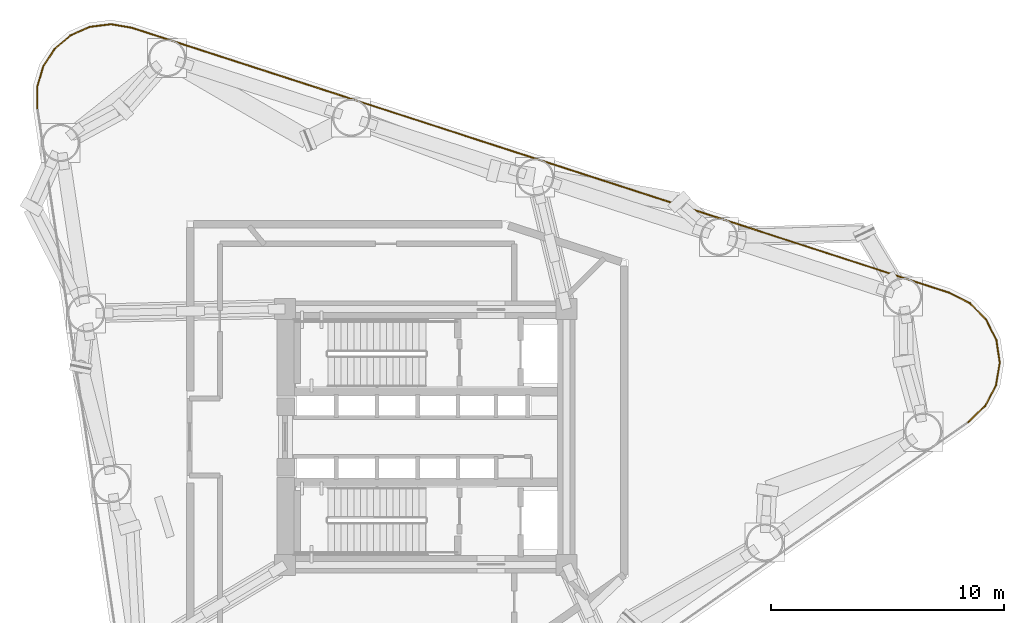
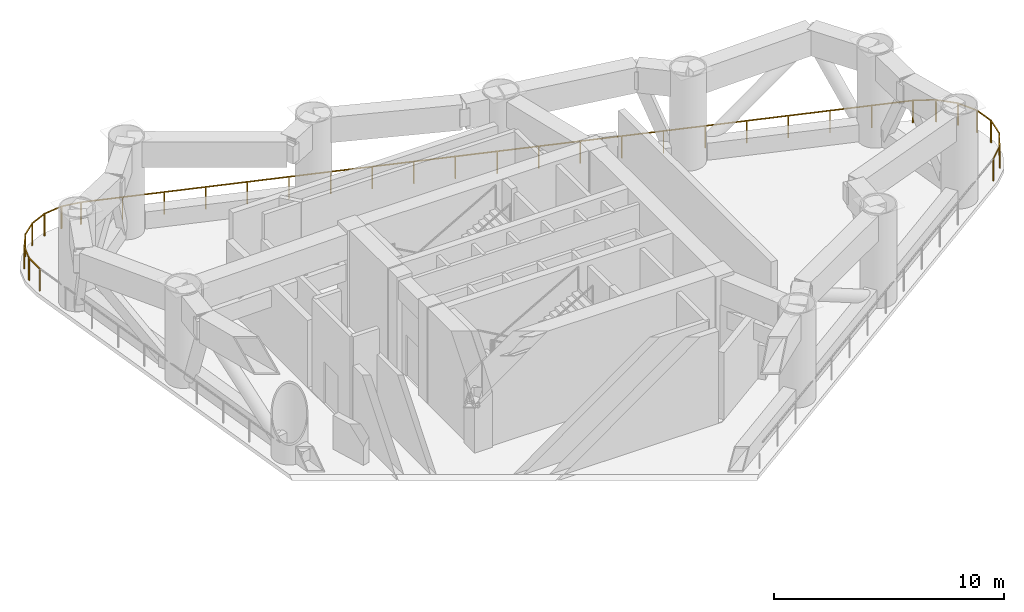
# One storey, part 8 of 8: 15 railings.
"""IFC4 building model written with IfcOpenShell, lengths in metres."""

import ifcopenshell
import ifcopenshell.guid

model = None  # the IFC model being written
_history = None  # IfcOwnerHistory: only IFC2X3 demands one
_inside = {}  # id of a spatial element -> (the spatial element, [elements in it])
_under = {}  # id of a project, library or spatial element -> (it, [spatial elements below it])
_declared = {}  # id of a project -> (the project, [libraries it declares])
_typed = {}  # id of a type object -> (the type object, [elements of that type])
_made_of = {}  # id of a material, layer set ... -> (it, [elements and type objects made of it])


def new_model(schema):
    """Start an empty IFC model of exactly this schema.

    Asked for "IFC4X3", IfcOpenShell would pick the latest addendum, in which some entities
    have other attributes; the version numbers below select the first issue.
    IFC2X3 requires an IfcOwnerHistory on every rooted entity: one is made here for all.
    """
    global model, _history
    if schema == "IFC4X3":
        model = ifcopenshell.file(schema_version=(4, 3, 0, 0))
    else:
        model = ifcopenshell.file(schema=schema)
    _inside.clear()
    _under.clear()
    _declared.clear()
    _typed.clear()
    _made_of.clear()
    _history = None
    if model.schema == "IFC2X3":
        org = make("IfcOrganization", Name="unknown")
        user = make(
            "IfcPersonAndOrganization",
            ThePerson=make("IfcPerson", FamilyName="unknown"),
            TheOrganization=org,
        )
        app = make(
            "IfcApplication",
            ApplicationDeveloper=org,
            Version="unknown",
            ApplicationFullName="unknown",
            ApplicationIdentifier="unknown",
        )
        _history = make(
            "IfcOwnerHistory",
            OwningUser=user,
            OwningApplication=app,
            ChangeAction="ADDED",
            CreationDate=0,
        )
    return model


def make(cls, **values):
    """One entity of the class cls with the attributes given. An attribute that is None is left unset."""
    return model.create_entity(
        cls, **{name: value for name, value in values.items() if value is not None}
    )


def rooted(cls, **values):
    """An entity with a GlobalId (a new one), such as an element, a storey or a relation."""
    return make(cls, GlobalId=ifcopenshell.guid.new(), OwnerHistory=_history, **values)


def si_unit(unit_type, name, prefix=None):
    """IfcSIUnit, for example si_unit("LENGTHUNIT", "METRE", prefix="MILLI")."""
    return make("IfcSIUnit", UnitType=unit_type, Prefix=prefix, Name=name)


def assignment(units):
    """IfcUnitAssignment: the units of a project."""
    return None if units is None else make("IfcUnitAssignment", Units=units)


def point(xyz):
    """IfcCartesianPoint."""
    return None if xyz is None else make("IfcCartesianPoint", Coordinates=xyz)


def direction(xyz):
    """IfcDirection."""
    return None if xyz is None else make("IfcDirection", DirectionRatios=xyz)


def frame(location, z_axis=None, x_axis=None):
    """IfcAxis2Placement3D, a coordinate frame: its origin and axes. An axis left out is left unset."""
    return make(
        "IfcAxis2Placement3D",
        Location=point(location),
        Axis=direction(z_axis),
        RefDirection=direction(x_axis),
    )


def frame_2d(location, x_axis=None):
    """IfcAxis2Placement2D, a coordinate frame in the plane: its origin and x axis."""
    return make(
        "IfcAxis2Placement2D", Location=point(location), RefDirection=direction(x_axis)
    )


def origin():
    """The frame at (0, 0, 0) with its axes left unset."""
    return frame((0.0, 0.0, 0.0))


def origin_2d():
    """The frame at (0, 0) in the plane with its x axis left unset."""
    return frame_2d((0.0, 0.0))


def place(relative_to, where):
    """IfcLocalPlacement: puts the frame where relative to a parent placement (None: the world)."""
    return make(
        "IfcLocalPlacement", PlacementRelTo=relative_to, RelativePlacement=where
    )


def context(
    kind, dimensions, precision=None, world=None, true_north=None, identifier=None
):
    """IfcGeometricRepresentationContext, for example the 3D "Model" context."""
    return make(
        "IfcGeometricRepresentationContext",
        ContextIdentifier=identifier,
        ContextType=kind,
        CoordinateSpaceDimension=dimensions,
        Precision=precision,
        WorldCoordinateSystem=world,
        TrueNorth=true_north,
    )


def subcontext(parent, identifier, kind, view, scale=None):
    """IfcGeometricRepresentationSubContext, for example "Body" below "Model"."""
    return make(
        "IfcGeometricRepresentationSubContext",
        ContextIdentifier=identifier,
        ContextType=kind,
        ParentContext=parent,
        TargetScale=scale,
        TargetView=view,
    )


def project(units=None, contexts=None):
    """IfcProject with its units and contexts."""
    return rooted(
        "IfcProject",
        Name="project",
        RepresentationContexts=contexts,
        UnitsInContext=assignment(units),
    )


def spatial(cls, under=None, at=None, **own):
    """A site, building, storey or space (cls), placed at a placement, below another one or the project."""
    s = rooted(cls, ObjectPlacement=at, **own)
    if under is not None:
        _under.setdefault(under.id(), (under, []))[1].append(s)
    return s


def profile(cls, at=None, kind="AREA", **sizes):
    """A parametric profile (cls). Its sizes go by their IFC names, for example OverallWidth=200.0."""
    return make(cls, ProfileType=kind, Position=at, **sizes)


def rectangle(**sizes):
    """IfcRectangleProfileDef."""
    return profile("IfcRectangleProfileDef", **sizes)


def extrude(swept, where, along, depth):
    """IfcExtrudedAreaSolid: the profile swept, set in the frame where, extruded along a direction by depth."""
    return make(
        "IfcExtrudedAreaSolid",
        SweptArea=swept,
        Position=where,
        ExtrudedDirection=direction(along),
        Depth=depth,
    )


def shape(context_of_items, identifier, shape_type, items):
    """IfcShapeRepresentation: the items that make up one representation, for example the "Body"."""
    return make(
        "IfcShapeRepresentation",
        ContextOfItems=context_of_items,
        RepresentationIdentifier=identifier,
        RepresentationType=shape_type,
        Items=items,
    )


def material(Name=None, Category=None):
    """IfcMaterial."""
    return make("IfcMaterial", Name=Name, Category=Category)


def made_of(thing, what):
    """Note that an element or type object is made of a material, layer set ...; save() writes the relation."""
    if what is not None:
        _made_of.setdefault(what.id(), (what, []))[1].append(thing)
    return thing


def type_object(cls, material=None, **own):
    """A type object (cls), such as IfcWallType, which elements share."""
    return made_of(rooted(cls, **own), material)


def element(
    cls,
    number,
    at=None,
    inside=None,
    cuts=None,
    type_object=None,
    material=None,
    context=None,
    identifier="Body",
    shape_type=None,
    held_by="IfcProductDefinitionShape",
    body=None,
    shapes=None,
    **own,
):
    """One element of the class cls, such as IfcWall. Its Tag is "e" and its number.

    at: its placement. inside: the storey or other place that contains it. cuts: it is an
    opening in that element (IfcRelVoidsElement). A single representation is given by context,
    identifier, shape_type and body (its items); several are given by shapes. held_by: the class
    of the entity that holds the representations. save() writes the other relations.
    """
    e = rooted(cls, Tag="e%d" % number, ObjectPlacement=at, **own)
    if body is not None:
        shapes = [shape(context, identifier, shape_type, body)]
    if shapes is not None:
        e.Representation = make(held_by, Representations=shapes)
    if inside is not None:
        _inside.setdefault(inside.id(), (inside, []))[1].append(e)
    if cuts is not None:
        rooted(
            "IfcRelVoidsElement", RelatingBuildingElement=cuts, RelatedOpeningElement=e
        )
    if type_object is not None:
        _typed.setdefault(type_object.id(), (type_object, []))[1].append(e)
    return made_of(e, material)


def aggregate(whole, parts):
    """IfcRelAggregates: a whole, such as a stair, and the parts it consists of."""
    return rooted("IfcRelAggregates", RelatingObject=whole, RelatedObjects=parts)


def save(model, path):
    """Write the relations noted so far, then the file.

    IfcRelAggregates (storeys below a building ...), IfcRelContainedInSpatialStructure (elements
    in a storey), IfcRelDefinesByType, IfcRelAssociatesMaterial and IfcRelDeclares: one each for
    every whole, place, type object, material and project.
    """
    for whole, parts in _under.values():
        aggregate(whole, parts)
    for where, things in _inside.values():
        rooted(
            "IfcRelContainedInSpatialStructure",
            RelatedElements=things,
            RelatingStructure=where,
        )
    for kind, things in _typed.values():
        rooted("IfcRelDefinesByType", RelatedObjects=things, RelatingType=kind)
    for what, things in _made_of.values():
        rooted("IfcRelAssociatesMaterial", RelatedObjects=things, RelatingMaterial=what)
    for by, libraries in _declared.values():
        rooted("IfcRelDeclares", RelatingContext=by, RelatedDefinitions=libraries)
    model.write(path)


model = new_model("IFC4")

# Units and contexts
model_context = context("Model", 3, precision=1e-05, world=origin(), true_north=direction((0.0, 1.0)))
body_context = subcontext(model_context, "Body", "Model", "MODEL_VIEW")
ifc_project = project(units=[si_unit("LENGTHUNIT", "METRE"), si_unit("AREAUNIT", "SQUARE_METRE"), si_unit("VOLUMEUNIT", "CUBIC_METRE"), si_unit("PLANEANGLEUNIT", "RADIAN"), si_unit("MASSUNIT", "GRAM", prefix="KILO")], contexts=[model_context])

# Site, building, storey
site_placement = place(None, origin())
site = spatial("IfcSite", under=ifc_project, at=site_placement, CompositionType="ELEMENT")
building_placement = place(site_placement, origin())
building = spatial("IfcBuilding", under=site, at=building_placement, Name="Yunling Apex Tower", CompositionType="ELEMENT")
storey_placement = place(building_placement, frame((0.0, 0.0, 84.800048828125)))
storey = spatial("IfcBuildingStorey", under=building, at=storey_placement, Name="RF2", CompositionType="ELEMENT", Elevation=84.800048828125)

# Railings
ifc_material = material(Name="Bronze anodised aluminium", Category="aluminium")
railing_type = type_object("IfcRailingType", Name="RL-BAL-1200", PredefinedType="BALUSTRADE", material=ifc_material)
railing_1_placement = place(storey_placement, frame((-16.69189453125, 14.115234375, 0.0)))
element("IfcRailing", 1, at=railing_1_placement, inside=storey, type_object=railing_type, Name="RL-REF-RF2-02", PredefinedType="BALUSTRADE", context=body_context, shape_type="SweptSolid", body=[
    extrude(rectangle(XDim=0.0439453125, YDim=0.0439453125, at=origin_2d()), origin(), (0.0, 0.0, 1.0), 1.199951171875),
    extrude(rectangle(XDim=0.0439453125, YDim=0.0439453125, at=origin_2d()), frame((-0.0029296875, 0.9482421875, 0.0)), (0.0, 0.0, 1.0), 1.199951171875),
    extrude(rectangle(XDim=0.050048828125, YDim=0.050048828125, at=origin_2d()), frame((0.0, 0.038330078125, 1.1748046875), z_axis=(-0.003089583606, 0.999995227225, 0.0), x_axis=(-0.999995227225, -0.003089583606, 0.0)), (0.0, 0.0, 1.0), 0.87158203125),
])
railing_2_placement = place(storey_placement, frame((-16.69921875, 15.0341796875, 0.0)))
element("IfcRailing", 2, at=railing_2_placement, inside=storey, type_object=railing_type, Name="RL-REF-RF2-03", PredefinedType="BALUSTRADE", context=body_context, shape_type="SweptSolid", body=[
    extrude(rectangle(XDim=0.0439453125, YDim=0.0439453125, at=origin_2d()), origin(), (0.0, 0.0, 1.0), 1.199951171875),
    extrude(rectangle(XDim=0.0439453125, YDim=0.0439453125, at=origin_2d()), frame((0.26513671875, 0.896728515625, 0.0)), (0.0, 0.0, 1.0), 1.199951171875),
    extrude(rectangle(XDim=0.050048828125, YDim=0.050048828125, at=origin_2d()), frame((0.010986328125, 0.036865234375, 1.1748046875), z_axis=(0.283537142164, 0.95896125522, 0.0), x_axis=(-0.95896125522, 0.283537142164, 0.0)), (0.0, 0.0, 1.0), 0.8583984375),
])
railing_3_placement = place(storey_placement, frame((-16.446533203125, 15.904052734375, 0.0)))
element("IfcRailing", 3, at=railing_3_placement, inside=storey, type_object=railing_type, Name="RL-REF-RF2-04", PredefinedType="BALUSTRADE", context=body_context, shape_type="SweptSolid", body=[
    extrude(rectangle(XDim=0.0439453125, YDim=0.0439453125, at=origin_2d()), origin(), (0.0, 0.0, 1.0), 1.199951171875),
    extrude(rectangle(XDim=0.0439453125, YDim=0.0439453125, at=origin_2d()), frame((0.510498046875, 0.783447265625, 0.0)), (0.0, 0.0, 1.0), 1.199951171875),
    extrude(rectangle(XDim=0.050048828125, YDim=0.050048828125, at=origin_2d()), frame((0.02099609375, 0.0322265625, 1.1748046875), z_axis=(0.545933240713, 0.837828679794, 0.0), x_axis=(-0.837828679794, 0.545933240713, 0.0)), (0.0, 0.0, 1.0), 0.8583984375),
])
railing_4_placement = place(storey_placement, frame((-15.955810546875, 16.665283203125, 0.0)))
element("IfcRailing", 4, at=railing_4_placement, inside=storey, type_object=railing_type, Name="RL-REF-RF2-05", PredefinedType="BALUSTRADE", context=body_context, shape_type="SweptSolid", body=[
    extrude(rectangle(XDim=0.0439453125, YDim=0.0439453125, at=origin_2d()), origin(), (0.0, 0.0, 1.0), 1.199951171875),
    extrude(rectangle(XDim=0.0439453125, YDim=0.0439453125, at=origin_2d()), frame((0.713623046875, 0.604248046875, 0.0)), (0.0, 0.0, 1.0), 1.199951171875),
    extrude(rectangle(XDim=0.050048828125, YDim=0.050048828125, at=origin_2d()), frame((0.029296875, 0.024658203125, 1.1748046875), z_axis=(0.763168366185, 0.646199694255, 0.0), x_axis=(-0.646199694255, 0.763168366185, 0.0)), (0.0, 0.0, 1.0), 0.8583984375),
])
railing_5_placement = place(storey_placement, frame((-15.267333984375, 17.25390625, 0.0)))
element("IfcRailing", 5, at=railing_5_placement, inside=storey, type_object=railing_type, Name="RL-REF-RF2-06", PredefinedType="BALUSTRADE", context=body_context, shape_type="SweptSolid", body=[
    extrude(rectangle(XDim=0.0439453125, YDim=0.0439453125, at=origin_2d()), origin(), (0.0, 0.0, 1.0), 1.199951171875),
    extrude(rectangle(XDim=0.0439453125, YDim=0.0439453125, at=origin_2d()), frame((0.856689453125, 0.375, 0.0)), (0.0, 0.0, 1.0), 1.199951171875),
    extrude(rectangle(XDim=0.050048828125, YDim=0.050048828125, at=origin_2d()), frame((0.03515625, 0.015380859375, 1.1748046875), z_axis=(0.916079425879, 0.400996864677, 0.0), x_axis=(-0.400996864677, 0.916079425879, 0.0)), (0.0, 0.0, 1.0), 0.8583984375),
])
railing_6_placement = place(storey_placement, frame((-14.439208984375, 17.620849609375, 0.0)))
element("IfcRailing", 6, at=railing_6_placement, inside=storey, type_object=railing_type, Name="RL-REF-RF2-07", PredefinedType="BALUSTRADE", context=body_context, shape_type="SweptSolid", body=[
    extrude(rectangle(XDim=0.0439453125, YDim=0.0439453125, at=origin_2d()), origin(), (0.0, 0.0, 1.0), 1.199951171875),
    extrude(rectangle(XDim=0.0439453125, YDim=0.0439453125, at=origin_2d()), frame((0.92822265625, 0.114013671875, 0.0)), (0.0, 0.0, 1.0), 1.199951171875),
    extrude(rectangle(XDim=0.050048828125, YDim=0.050048828125, at=origin_2d()), frame((0.0380859375, 0.004638671875, 1.1748046875), z_axis=(0.992540684549, 0.121913861043, 0.0), x_axis=(-0.121913861043, 0.992540684549, 0.0)), (0.0, 0.0, 1.0), 0.858642578125),
])
railing_7_placement = place(storey_placement, frame((-13.540771484375, 17.7353515625, 0.0)))
element("IfcRailing", 7, at=railing_7_placement, inside=storey, type_object=railing_type, Name="RL-REF-RF2-08", PredefinedType="BALUSTRADE", context=body_context, shape_type="SweptSolid", body=[
    extrude(rectangle(XDim=0.0439453125, YDim=0.0439453125, at=origin_2d()), origin(), (0.0, 0.0, 1.0), 1.199951171875),
    extrude(rectangle(XDim=0.0439453125, YDim=0.0439453125, at=origin_2d()), frame((0.934814453125, -0.15869140625, 0.0)), (0.0, 0.0, 1.0), 1.199951171875),
    extrude(rectangle(XDim=0.050048828125, YDim=0.050048828125, at=origin_2d()), frame((0.037841796875, -0.00634765625, 1.1748046875), z_axis=(0.985895383562, -0.167362757721, 0.0), x_axis=(0.167362757721, 0.985895383562, 0.0)), (0.0, 0.0, 1.0), 0.87158203125),
])
railing_8_placement = place(storey_placement, frame((-12.635009765625, 17.583740234375, 0.0)))
element("IfcRailing", 8, at=railing_8_placement, inside=storey, type_object=railing_type, Name="RL-REF-RF2-09", PredefinedType="BALUSTRADE", context=body_context, shape_type="SweptSolid", body=[
    extrude(rectangle(XDim=0.0439453125, YDim=0.0439453125, at=origin_2d()), origin(), (0.0, 0.0, 1.0), 1.199951171875),
    extrude(rectangle(XDim=0.0439453125, YDim=0.0439453125, at=origin_2d()), frame((35.13330078125, -11.388427734375, 0.0)), (0.0, 0.0, 1.0), 1.199951171875),
    extrude(rectangle(XDim=0.050048828125, YDim=0.050048828125, at=origin_2d()), frame((0.036376953125, -0.01171875, 1.1748046875), z_axis=(0.951271722846, -0.308353870274, 0.0), x_axis=(0.308353870274, 0.951271722846, 0.0)), (0.0, 0.0, 1.0), 36.856201171875),
    extrude(rectangle(XDim=0.0439453125, YDim=0.0439453125, at=origin_2d()), frame((1.756591796875, -0.5693359375, 0.0)), (0.0, 0.0, 1.0), 1.14599609375),
    extrude(rectangle(XDim=0.0439453125, YDim=0.0439453125, at=origin_2d()), frame((3.513427734375, -1.138916015625, 0.0)), (0.0, 0.0, 1.0), 1.14599609375),
    extrude(rectangle(XDim=0.0439453125, YDim=0.0439453125, at=origin_2d()), frame((5.27001953125, -1.708251953125, 0.0)), (0.0, 0.0, 1.0), 1.14599609375),
    extrude(rectangle(XDim=0.0439453125, YDim=0.0439453125, at=origin_2d()), frame((7.026611328125, -2.277587890625, 0.0)), (0.0, 0.0, 1.0), 1.14599609375),
    extrude(rectangle(XDim=0.0439453125, YDim=0.0439453125, at=origin_2d()), frame((8.783203125, -2.84716796875, 0.0)), (0.0, 0.0, 1.0), 1.14599609375),
    extrude(rectangle(XDim=0.0439453125, YDim=0.0439453125, at=origin_2d()), frame((10.5400390625, -3.41650390625, 0.0)), (0.0, 0.0, 1.0), 1.14599609375),
    extrude(rectangle(XDim=0.0439453125, YDim=0.0439453125, at=origin_2d()), frame((12.296630859375, -3.98583984375, 0.0)), (0.0, 0.0, 1.0), 1.14599609375),
    extrude(rectangle(XDim=0.0439453125, YDim=0.0439453125, at=origin_2d()), frame((14.05322265625, -4.555419921875, 0.0)), (0.0, 0.0, 1.0), 1.14599609375),
    extrude(rectangle(XDim=0.0439453125, YDim=0.0439453125, at=origin_2d()), frame((15.81005859375, -5.124755859375, 0.0)), (0.0, 0.0, 1.0), 1.14599609375),
    extrude(rectangle(XDim=0.0439453125, YDim=0.0439453125, at=origin_2d()), frame((17.566650390625, -5.6943359375, 0.0)), (0.0, 0.0, 1.0), 1.14599609375),
    extrude(rectangle(XDim=0.0439453125, YDim=0.0439453125, at=origin_2d()), frame((19.3232421875, -6.263671875, 0.0)), (0.0, 0.0, 1.0), 1.14599609375),
    extrude(rectangle(XDim=0.0439453125, YDim=0.0439453125, at=origin_2d()), frame((21.080078125, -6.8330078125, 0.0)), (0.0, 0.0, 1.0), 1.14599609375),
    extrude(rectangle(XDim=0.0439453125, YDim=0.0439453125, at=origin_2d()), frame((22.836669921875, -7.402587890625, 0.0)), (0.0, 0.0, 1.0), 1.14599609375),
    extrude(rectangle(XDim=0.0439453125, YDim=0.0439453125, at=origin_2d()), frame((24.59326171875, -7.971923828125, 0.0)), (0.0, 0.0, 1.0), 1.14599609375),
    extrude(rectangle(XDim=0.0439453125, YDim=0.0439453125, at=origin_2d()), frame((26.35009765625, -8.541259765625, 0.0)), (0.0, 0.0, 1.0), 1.14599609375),
    extrude(rectangle(XDim=0.0439453125, YDim=0.0439453125, at=origin_2d()), frame((28.106689453125, -9.11083984375, 0.0)), (0.0, 0.0, 1.0), 1.14599609375),
    extrude(rectangle(XDim=0.0439453125, YDim=0.0439453125, at=origin_2d()), frame((29.86328125, -9.68017578125, 0.0)), (0.0, 0.0, 1.0), 1.14599609375),
    extrude(rectangle(XDim=0.0439453125, YDim=0.0439453125, at=origin_2d()), frame((31.619873046875, -10.24951171875, 0.0)), (0.0, 0.0, 1.0), 1.14599609375),
    extrude(rectangle(XDim=0.0439453125, YDim=0.0439453125, at=origin_2d()), frame((33.376708984375, -10.819091796875, 0.0)), (0.0, 0.0, 1.0), 1.14599609375),
])
railing_9_placement = place(storey_placement, frame((22.470458984375, 6.206787109375, 0.0)))
element("IfcRailing", 9, at=railing_9_placement, inside=storey, type_object=railing_type, Name="RL-REF-RF2-10", PredefinedType="BALUSTRADE", context=body_context, shape_type="SweptSolid", body=[
    extrude(rectangle(XDim=0.0439453125, YDim=0.0439453125, at=origin_2d()), origin(), (0.0, 0.0, 1.0), 1.199951171875),
    extrude(rectangle(XDim=0.0439453125, YDim=0.0439453125, at=origin_2d()), frame((0.918701171875, -0.468994140625, 0.0)), (0.0, 0.0, 1.0), 1.199951171875),
    extrude(rectangle(XDim=0.050048828125, YDim=0.050048828125, at=origin_2d()), frame((0.0341796875, -0.017333984375, 1.1748046875), z_axis=(0.890656251299, -0.454677294378, 0.0), x_axis=(0.454677294378, 0.890656251299, 0.0)), (0.0, 0.0, 1.0), 0.954833984375),
])
railing_10_placement = place(storey_placement, frame((23.365234375, 5.75537109375, 0.0)))
element("IfcRailing", 10, at=railing_10_placement, inside=storey, type_object=railing_type, Name="RL-REF-RF2-11", PredefinedType="BALUSTRADE", context=body_context, shape_type="SweptSolid", body=[
    extrude(rectangle(XDim=0.0439453125, YDim=0.0439453125, at=origin_2d()), origin(), (0.0, 0.0, 1.0), 1.199951171875),
    extrude(rectangle(XDim=0.0439453125, YDim=0.0439453125, at=origin_2d()), frame((0.716552734375, -0.721435546875, 0.0)), (0.0, 0.0, 1.0), 1.199951171875),
    extrude(rectangle(XDim=0.050048828125, YDim=0.050048828125, at=origin_2d()), frame((0.027099609375, -0.027099609375, 1.1748046875), z_axis=(0.70470167689, -0.70950373261, 0.0), x_axis=(0.70950373261, 0.70470167689, 0.0)), (0.0, 0.0, 1.0), 0.940185546875),
])
railing_11_placement = place(storey_placement, frame((24.064453125, 5.05810546875, 0.0)))
element("IfcRailing", 11, at=railing_11_placement, inside=storey, type_object=railing_type, Name="RL-REF-RF2-12", PredefinedType="BALUSTRADE", context=body_context, shape_type="SweptSolid", body=[
    extrude(rectangle(XDim=0.0439453125, YDim=0.0439453125, at=origin_2d()), origin(), (0.0, 0.0, 1.0), 1.199951171875),
    extrude(rectangle(XDim=0.0439453125, YDim=0.0439453125, at=origin_2d()), frame((0.456298828125, -0.908935546875, 0.0)), (0.0, 0.0, 1.0), 1.199951171875),
    extrude(rectangle(XDim=0.050048828125, YDim=0.050048828125, at=origin_2d()), frame((0.01708984375, -0.0341796875, 1.1748046875), z_axis=(0.448653315237, -0.893705881555, 0.0), x_axis=(0.893705881555, 0.448653315237, 0.0)), (0.0, 0.0, 1.0), 0.9404296875),
])
railing_12_placement = place(storey_placement, frame((24.51171875, 4.177490234375, 0.0)))
element("IfcRailing", 12, at=railing_12_placement, inside=storey, type_object=railing_type, Name="RL-REF-RF2-13", PredefinedType="BALUSTRADE", context=body_context, shape_type="SweptSolid", body=[
    extrude(rectangle(XDim=0.0439453125, YDim=0.0439453125, at=origin_2d()), origin(), (0.0, 0.0, 1.0), 1.199951171875),
    extrude(rectangle(XDim=0.0439453125, YDim=0.0439453125, at=origin_2d()), frame((0.150390625, -1.005859375, 0.0)), (0.0, 0.0, 1.0), 1.199951171875),
    extrude(rectangle(XDim=0.050048828125, YDim=0.050048828125, at=origin_2d()), frame((0.005615234375, -0.037841796875, 1.1748046875), z_axis=(0.147870900439, -0.989006671769, 0.0), x_axis=(0.989006671769, 0.147870900439, 0.0)), (0.0, 0.0, 1.0), 0.9404296875),
])
railing_13_placement = place(storey_placement, frame((24.662353515625, 3.201416015625, 0.0)))
element("IfcRailing", 13, at=railing_13_placement, inside=storey, type_object=railing_type, Name="RL-REF-RF2-14", PredefinedType="BALUSTRADE", context=body_context, shape_type="SweptSolid", body=[
    extrude(rectangle(XDim=0.0439453125, YDim=0.0439453125, at=origin_2d()), origin(), (0.0, 0.0, 1.0), 1.199951171875),
    extrude(rectangle(XDim=0.0439453125, YDim=0.0439453125, at=origin_2d()), frame((-0.17041015625, -1.002685546875, 0.0)), (0.0, 0.0, 1.0), 1.199951171875),
    extrude(rectangle(XDim=0.050048828125, YDim=0.050048828125, at=origin_2d()), frame((-0.00634765625, -0.037841796875, 1.1748046875), z_axis=(-0.167551166343, -0.985863381335, 0.0), x_axis=(0.985863381335, -0.167551166343, 0.0)), (0.0, 0.0, 1.0), 0.9404296875),
])
railing_14_placement = place(storey_placement, frame((24.50146484375, 2.226806640625, 0.0)))
element("IfcRailing", 14, at=railing_14_placement, inside=storey, type_object=railing_type, Name="RL-REF-RF2-15", PredefinedType="BALUSTRADE", context=body_context, shape_type="SweptSolid", body=[
    extrude(rectangle(XDim=0.0439453125, YDim=0.0439453125, at=origin_2d()), origin(), (0.0, 0.0, 1.0), 1.199951171875),
    extrude(rectangle(XDim=0.0439453125, YDim=0.0439453125, at=origin_2d()), frame((-0.474365234375, -0.8994140625, 0.0)), (0.0, 0.0, 1.0), 1.199951171875),
    extrude(rectangle(XDim=0.050048828125, YDim=0.050048828125, at=origin_2d()), frame((-0.017822265625, -0.033935546875, 1.1748046875), z_axis=(-0.466508216187, -0.884516864865, 0.0), x_axis=(0.884516864865, -0.466508216187, 0.0)), (0.0, 0.0, 1.0), 0.940185546875),
])
railing_15_placement = place(storey_placement, frame((24.044921875, 1.35107421875, 0.0)))
element("IfcRailing", 15, at=railing_15_placement, inside=storey, type_object=railing_type, Name="RL-REF-RF2-16", PredefinedType="BALUSTRADE", context=body_context, shape_type="SweptSolid", body=[
    extrude(rectangle(XDim=0.0439453125, YDim=0.0439453125, at=origin_2d()), origin(), (0.0, 0.0, 1.0), 1.199951171875),
    extrude(rectangle(XDim=0.0439453125, YDim=0.0439453125, at=origin_2d()), frame((-0.741455078125, -0.716796875, 0.0)), (0.0, 0.0, 1.0), 1.199951171875),
    extrude(rectangle(XDim=0.050048828125, YDim=0.050048828125, at=origin_2d()), frame((-0.027587890625, -0.026611328125, 1.1748046875), z_axis=(-0.718960772394, -0.695050651218, 0.0), x_axis=(0.695050651218, -0.718960772394, 0.0)), (0.0, 0.0, 1.0), 0.95458984375),
])

save(model, "model.ifc")
